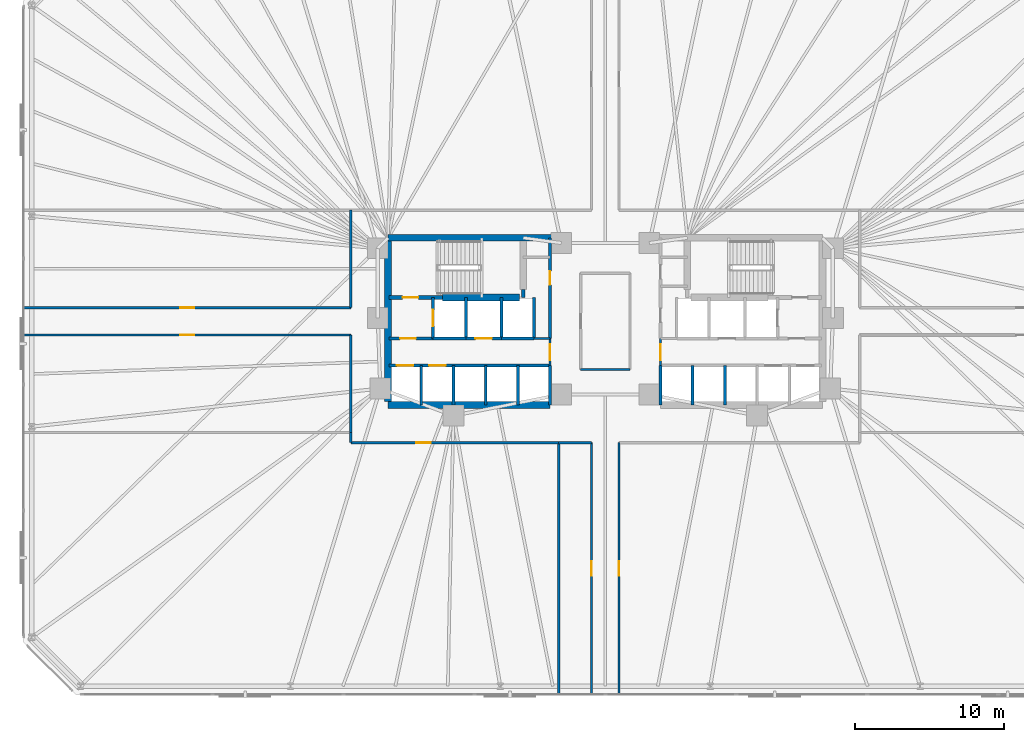
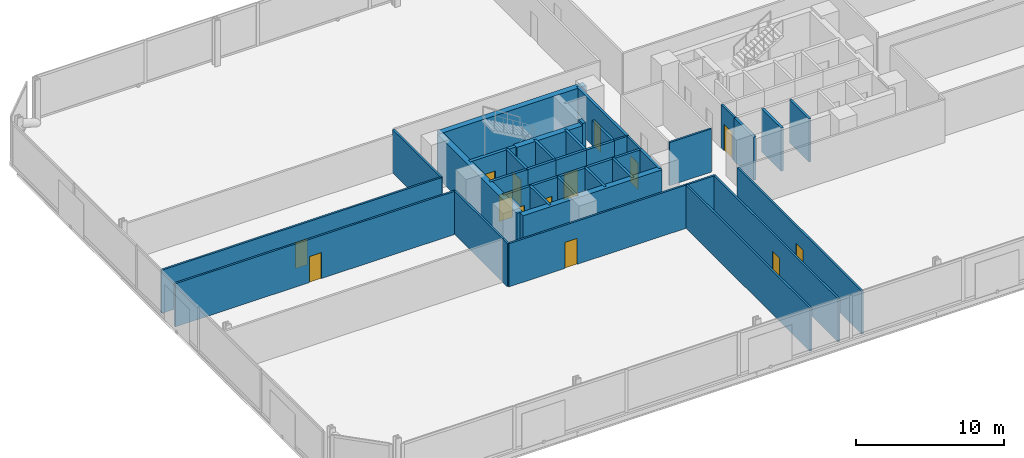
# One storey, part 12 of 16: 38 walls, 14 doors, 14 openings.
"""IFC4 building model written with IfcOpenShell, lengths in metres."""

from ifc_helpers import new_model, si_unit, direction, frame, frame_2d, origin, place, context, subcontext, project, spatial, rectangle, extrude, material, layer, layer_set, type_object, element, fill, save


model = new_model("IFC4")

# Units and contexts
model_context = context("Model", 3, precision=1e-05, world=origin(), true_north=direction((0.0, 1.0)))
body_context = subcontext(model_context, "Body", "Model", "MODEL_VIEW")
ifc_project = project(units=[si_unit("LENGTHUNIT", "METRE"), si_unit("AREAUNIT", "SQUARE_METRE"), si_unit("VOLUMEUNIT", "CUBIC_METRE"), si_unit("PLANEANGLEUNIT", "RADIAN"), si_unit("MASSUNIT", "GRAM", prefix="KILO")], contexts=[model_context])

# Site, building, storey
site_placement = place(None, origin())
site = spatial("IfcSite", under=ifc_project, at=site_placement, CompositionType="ELEMENT")
building_placement = place(site_placement, origin())
building = spatial("IfcBuilding", under=site, at=building_placement, Name="Menara Jurai Vektor", CompositionType="ELEMENT")
storey_placement = place(building_placement, frame((0.0, 0.0, 40.800048828125)))
storey = spatial("IfcBuildingStorey", under=building, at=storey_placement, Name="L09", CompositionType="ELEMENT", Elevation=40.800048828125)

# Wall, opening, door
ifc_material_1 = material(Name="Concrete C40/50", Category="concrete")
ifc_layer_1 = layer(ifc_material_1, 0.25)
ifc_layer_set_1 = layer_set([ifc_layer_1], Name="Concrete C40/50")
wall_type_1 = type_object("IfcWallType", Name="INT-WALL-CORE-250", PredefinedType="STANDARD", material=ifc_layer_set_1)
wall_1_placement = place(storey_placement, frame((-14.5, 1.60009765625, 0.0), z_axis=(0.0, 0.0, 1.0), x_axis=(1.0, 0.0, 0.0)))
wall_1 = element("IfcWall", 1, at=wall_1_placement, inside=storey, type_object=wall_type_1, Name="Interior Wall IW-250 L09", PredefinedType="STANDARD", context=body_context, shape_type="SweptSolid", body=[
    extrude(rectangle(XDim=3.60009765625, YDim=0.25, at=frame_2d((1.800048828125, 0.0))), origin(), (0.0, 0.0, 1.0), 3.574951171875),
])
opening_1_placement = place(wall_1_placement, frame((0.919921875, 0.0, 0.0)))
opening_1 = element("IfcOpeningElement", 2, at=opening_1_placement, cuts=wall_1, Name="Opening D-L09-ST1", PredefinedType="OPENING", context=body_context, shape_type="SweptSolid", body=[
    extrude(rectangle(XDim=1.050048828125, YDim=2.14990234375, at=frame_2d((0.52490234375, 1.074951171875))), frame((0.0, 0.135009765625, 0.0), z_axis=(0.0, -1.0, 0.0), x_axis=(1.0, 0.0, 0.0)), (0.0, 0.0, 1.0), 0.27001953125),
])
ifc_material_2 = material(Name="Fire-Rated Steel Door", Category="steel")
door_type_1 = type_object("IfcDoorType", Name="DR-STAIR-1050", OperationType="NOTDEFINED", PredefinedType="DOOR", material=ifc_material_2)
door_1_placement = place(opening_1_placement, origin())
door_1 = element("IfcDoor", 3, at=door_1_placement, inside=storey, type_object=door_type_1, Name="Exit Stair ST1 Door L09", OperationType="SINGLE_SWING_RIGHT", OverallHeight=2.14990234375, OverallWidth=1.050048828125, PredefinedType="DOOR", context=body_context, shape_type="SweptSolid", body=[
    extrude(rectangle(XDim=1.050048828125, YDim=2.14990234375, at=frame_2d((0.52490234375, 1.074951171875))), frame((0.0, 0.02490234375, 0.0), z_axis=(0.0, -1.0, 0.0), x_axis=(1.0, 0.0, 0.0)), (0.0, 0.0, 1.0), 0.050048828125),
])
fill(opening_1, door_1)

# Wall
wall_2_placement = place(storey_placement, frame((-5.5, 1.60009765625, 0.0), z_axis=(0.0, 0.0, 1.0), x_axis=(0.0, 1.0, 0.0)))
element("IfcWall", 4, at=wall_2_placement, inside=storey, type_object=wall_type_1, Name="Interior Wall IW-250 L09", PredefinedType="STANDARD", context=body_context, shape_type="SweptSolid", body=[
    extrude(rectangle(XDim=0.5498046875, YDim=0.25, at=frame_2d((0.27490234375, 0.0))), origin(), (0.0, 0.0, 1.0), 3.574951171875),
])

# Wall, opening, door
wall_3_placement = place(storey_placement, frame((-11.550048828125, -1.14990234375, 0.0), z_axis=(0.0, 0.0, 1.0), x_axis=(0.0, 1.0, 0.0)))
wall_3 = element("IfcWall", 5, at=wall_3_placement, inside=storey, type_object=wall_type_1, Name="Interior Wall IW-250 L09", PredefinedType="STANDARD", context=body_context, shape_type="SweptSolid", body=[
    extrude(rectangle(XDim=2.75, YDim=0.199951171875, at=frame_2d((1.375, 0.0))), origin(), (0.0, 0.0, 1.0), 3.574951171875),
])
opening_2_placement = place(wall_3_placement, frame((0.824951171875, 0.0, 0.0)))
opening_2 = element("IfcOpeningElement", 6, at=opening_2_placement, cuts=wall_3, Name="Opening LD-L09-FL1", PredefinedType="OPENING", context=body_context, shape_type="SweptSolid", body=[
    extrude(rectangle(XDim=1.10009765625, YDim=2.14990234375, at=frame_2d((0.550048828125, 1.074951171875))), frame((0.0, 0.10986328125, 0.0), z_axis=(0.0, -1.0, 0.0), x_axis=(1.0, 0.0, 0.0)), (0.0, 0.0, 1.0), 0.219970703125),
])
ifc_material_3 = material(Name="Stainless Steel Sliding Lift Landing Door", Category="steel")
door_type_2 = type_object("IfcDoorType", Name="DR-LIFT-FIRE-1100", OperationType="NOTDEFINED", PredefinedType="DOOR", material=ifc_material_3)
door_2_placement = place(opening_2_placement, origin())
door_2 = element("IfcDoor", 7, at=door_2_placement, inside=storey, type_object=door_type_2, Name="Lift Landing Door FL1 L09", OperationType="SLIDING_TO_RIGHT", OverallHeight=2.14990234375, OverallWidth=1.10009765625, PredefinedType="DOOR", context=body_context, shape_type="SweptSolid", body=[
    extrude(rectangle(XDim=1.10009765625, YDim=2.14990234375, at=frame_2d((0.550048828125, 1.074951171875))), frame((0.0, 0.02490234375, 0.0), z_axis=(0.0, -1.0, 0.0), x_axis=(1.0, 0.0, 0.0)), (0.0, 0.0, 1.0), 0.050048828125),
])
fill(opening_2, door_2)

# Wall
wall_4_placement = place(storey_placement, frame((-9.35009765625, -1.14990234375, 0.0), z_axis=(0.0, 0.0, 1.0), x_axis=(0.0, 1.0, 0.0)))
element("IfcWall", 8, at=wall_4_placement, inside=storey, type_object=wall_type_1, Name="Interior Wall IW-250 L09", PredefinedType="STANDARD", context=body_context, shape_type="SweptSolid", body=[
    extrude(rectangle(XDim=2.75, YDim=0.199951171875, at=frame_2d((1.375, 0.0))), origin(), (0.0, 0.0, 1.0), 3.574951171875),
])

# Wall, opening, door
wall_5_placement = place(storey_placement, frame((-14.5, -1.14990234375, 0.0), z_axis=(0.0, 0.0, 1.0), x_axis=(1.0, 0.0, 0.0)))
wall_5 = element("IfcWall", 9, at=wall_5_placement, inside=storey, type_object=wall_type_1, Name="Interior Wall IW-250 L09", PredefinedType="STANDARD", context=body_context, shape_type="SweptSolid", body=[
    extrude(rectangle(XDim=2.949951171875, YDim=0.199951171875, at=frame_2d((1.47509765625, 0.0))), origin(), (0.0, 0.0, 1.0), 3.574951171875),
])
opening_3_placement = place(wall_5_placement, frame((0.75, 0.0, 0.0)))
opening_3 = element("IfcOpeningElement", 10, at=opening_3_placement, cuts=wall_5, Name="Opening D-L09-FFW", PredefinedType="OPENING", context=body_context, shape_type="SweptSolid", body=[
    extrude(rectangle(XDim=1.050048828125, YDim=2.179931640625, at=frame_2d((0.52490234375, 1.08984375))), frame((0.0, 0.10986328125, 0.0), z_axis=(0.0, -1.0, 0.0), x_axis=(1.0, 0.0, 0.0)), (0.0, 0.0, 1.0), 0.219970703125),
])
ifc_material_4 = material(Name="Fire-Rated Timber Door", Category="wood")
door_type_3 = type_object("IfcDoorType", Name="DR-LOBBY-1050", OperationType="NOTDEFINED", PredefinedType="DOOR", material=ifc_material_4)
door_3_placement = place(opening_3_placement, origin())
door_3 = element("IfcDoor", 11, at=door_3_placement, inside=storey, type_object=door_type_3, Name="Fire Lift Lobby Door W L09", OperationType="SINGLE_SWING_RIGHT", OverallHeight=2.179931640625, OverallWidth=1.050048828125, PredefinedType="DOOR", context=body_context, shape_type="SweptSolid", body=[
    extrude(rectangle(XDim=1.050048828125, YDim=2.179931640625, at=frame_2d((0.52490234375, 1.08984375))), frame((0.0, 0.02490234375, 0.0), z_axis=(0.0, -1.0, 0.0), x_axis=(1.0, 0.0, 0.0)), (0.0, 0.0, 1.0), 0.050048828125),
])
fill(opening_3, door_3)

# Wall
wall_6_placement = place(storey_placement, frame((-11.550048828125, -1.14990234375, 0.0), z_axis=(0.0, 0.0, 1.0), x_axis=(1.0, 0.0, 0.0)))
element("IfcWall", 12, at=wall_6_placement, inside=storey, type_object=wall_type_1, Name="Interior Wall IW-250 L09", PredefinedType="STANDARD", context=body_context, shape_type="SweptSolid", body=[
    extrude(rectangle(XDim=2.199951171875, YDim=0.199951171875, at=frame_2d((1.10009765625, 0.0))), origin(), (0.0, 0.0, 1.0), 3.574951171875),
])

# Wall, opening, door
ifc_material_5 = material(Name="Gypsum Fireboard Partition", Category="gypsum")
ifc_layer_2 = layer(ifc_material_5, 0.14990234375)
ifc_layer_set_2 = layer_set([ifc_layer_2], Name="Gypsum Fireboard Partition")
wall_type_2 = type_object("IfcWallType", Name="INT-WALL-CORR-150", PredefinedType="PARTITIONING", material=ifc_layer_set_2)
wall_7_placement = place(storey_placement, frame((-3.699951171875, -2.949951171875, 0.0), z_axis=(0.0, 0.0, 1.0), x_axis=(0.0, 1.0, 0.0)))
wall_7 = element("IfcWall", 13, at=wall_7_placement, inside=storey, type_object=wall_type_2, Name="Interior Wall IW-150 L09", PredefinedType="PARTITIONING", context=body_context, shape_type="SweptSolid", body=[
    extrude(rectangle(XDim=1.800048828125, YDim=0.14990234375, at=frame_2d((0.89990234375, 0.0))), origin(), (0.0, 0.0, 1.0), 3.574951171875),
])
opening_4_placement = place(wall_7_placement, frame((0.35009765625, 0.0, 0.0)))
opening_4 = element("IfcOpeningElement", 14, at=opening_4_placement, cuts=wall_7, Name="Opening D-L09-LLW", PredefinedType="OPENING", context=body_context, shape_type="SweptSolid", body=[
    extrude(rectangle(XDim=1.050048828125, YDim=2.179931640625, at=frame_2d((0.52490234375, 1.08984375))), frame((0.0, 0.0849609375, 0.0), z_axis=(0.0, -1.0, 0.0), x_axis=(1.0, 0.0, 0.0)), (0.0, 0.0, 1.0), 0.169921875),
])
door_4_placement = place(opening_4_placement, origin())
door_4 = element("IfcDoor", 15, at=door_4_placement, inside=storey, type_object=door_type_3, Name="Lift Lobby Corridor Door W L09", OperationType="SINGLE_SWING_LEFT", OverallHeight=2.179931640625, OverallWidth=1.050048828125, PredefinedType="DOOR", context=body_context, shape_type="SweptSolid", body=[
    extrude(rectangle(XDim=1.050048828125, YDim=2.179931640625, at=frame_2d((0.52490234375, 1.08984375))), frame((0.0, 0.02490234375, 0.0), z_axis=(0.0, -1.0, 0.0), x_axis=(1.0, 0.0, 0.0)), (0.0, 0.0, 1.0), 0.050048828125),
])
fill(opening_4, door_4)

# Wall
wall_8_placement = place(storey_placement, frame((-4.7900390625, -1.14990234375, 0.0), z_axis=(0.0, 0.0, 1.0), x_axis=(1.0, 0.0, 0.0)))
element("IfcWall", 16, at=wall_8_placement, inside=storey, type_object=wall_type_2, Name="Interior Wall IW-150 L09", PredefinedType="PARTITIONING", context=body_context, shape_type="SweptSolid", body=[
    extrude(rectangle(XDim=1.090087890625, YDim=0.14990234375, at=frame_2d((0.544921875, 0.0))), origin(), (0.0, 0.0, 1.0), 3.574951171875),
])

# Wall, opening, door
wall_9_placement = place(storey_placement, frame((3.699951171875, -2.949951171875, 0.0), z_axis=(0.0, 0.0, 1.0), x_axis=(0.0, 1.0, 0.0)))
wall_9 = element("IfcWall", 17, at=wall_9_placement, inside=storey, type_object=wall_type_2, Name="Interior Wall IW-150 L09", PredefinedType="PARTITIONING", context=body_context, shape_type="SweptSolid", body=[
    extrude(rectangle(XDim=1.800048828125, YDim=0.14990234375, at=frame_2d((0.89990234375, 0.0))), origin(), (0.0, 0.0, 1.0), 3.574951171875),
])
opening_5_placement = place(wall_9_placement, frame((0.35009765625, 0.0, 0.0)))
opening_5 = element("IfcOpeningElement", 18, at=opening_5_placement, cuts=wall_9, Name="Opening D-L09-LLE", PredefinedType="OPENING", context=body_context, shape_type="SweptSolid", body=[
    extrude(rectangle(XDim=1.050048828125, YDim=2.179931640625, at=frame_2d((0.52490234375, 1.08984375))), frame((0.0, 0.0849609375, 0.0), z_axis=(0.0, -1.0, 0.0), x_axis=(1.0, 0.0, 0.0)), (0.0, 0.0, 1.0), 0.169921875),
])
door_5_placement = place(opening_5_placement, frame((1.050048828125, 0.0, 0.0), z_axis=(0.0, 0.0, 1.0), x_axis=(-1.0, 0.0, 0.0)))
door_5 = element("IfcDoor", 19, at=door_5_placement, inside=storey, type_object=door_type_3, Name="Lift Lobby Corridor Door E L09", OperationType="SINGLE_SWING_RIGHT", OverallHeight=2.179931640625, OverallWidth=1.050048828125, PredefinedType="DOOR", context=body_context, shape_type="SweptSolid", body=[
    extrude(rectangle(XDim=1.050048828125, YDim=2.179931640625, at=frame_2d((0.52490234375, 1.08984375))), frame((0.0, 0.02490234375, 0.0), z_axis=(0.0, -1.0, 0.0), x_axis=(1.0, 0.0, 0.0)), (0.0, 0.0, 1.0), 0.050048828125),
])
fill(opening_5, door_5)

# Walls
wall_10_placement = place(storey_placement, frame((-1.64990234375, -3.22998046875, 0.0), z_axis=(0.0, 0.0, 1.0), x_axis=(1.0, 0.0, 0.0)))
element("IfcWall", 20, at=wall_10_placement, inside=storey, type_object=wall_type_2, Name="Interior Wall IW-150 L09", PredefinedType="PARTITIONING", context=body_context, shape_type="SweptSolid", body=[
    extrude(rectangle(XDim=3.2998046875, YDim=0.14990234375, at=frame_2d((1.64990234375, 0.0))), origin(), (0.0, 0.0, 1.0), 3.574951171875),
])
wall_11_placement = place(storey_placement, frame((-17.05908203125, -8.1298828125, 0.0), z_axis=(0.0, 0.0, 1.0), x_axis=(0.0, 1.0, 0.0)))
element("IfcWall", 21, at=wall_11_placement, inside=storey, type_object=wall_type_2, Name="Interior Wall IW-150 L09", PredefinedType="PARTITIONING", context=body_context, shape_type="SweptSolid", body=[
    extrude(rectangle(XDim=0.679931640625, YDim=0.14990234375, at=frame_2d((0.33984375, 0.0))), origin(), (0.0, 0.0, 1.0), 3.574951171875),
])

# Wall, opening, door
wall_12_placement = place(storey_placement, frame((-17.05908203125, -8.1298828125, 0.0), z_axis=(0.0, 0.0, 1.0), x_axis=(1.0, 0.0, 0.0)))
wall_12 = element("IfcWall", 22, at=wall_12_placement, inside=storey, type_object=wall_type_2, Name="Interior Wall IW-150 L09", PredefinedType="PARTITIONING", context=body_context, shape_type="SweptSolid", body=[
    extrude(rectangle(XDim=13.93896484375, YDim=0.14990234375, at=frame_2d((6.969482421875, 0.0))), origin(), (0.0, 0.0, 1.0), 3.574951171875),
])
opening_6_placement = place(wall_12_placement, frame((4.403564453125, 0.0, 0.0)))
opening_6 = element("IfcOpeningElement", 23, at=opening_6_placement, cuts=wall_12, Name="Opening D09-07", PredefinedType="OPENING", context=body_context, shape_type="SweptSolid", body=[
    extrude(rectangle(XDim=0.949951171875, YDim=2.14990234375, at=frame_2d((0.47509765625, 1.074951171875))), frame((0.0, 0.0849609375, 0.0), z_axis=(0.0, -1.0, 0.0), x_axis=(1.0, 0.0, 0.0)), (0.0, 0.0, 1.0), 0.169921875),
])
ifc_material_6 = material(Name="Solid Core Timber Fire Door", Category="wood")
door_type_4 = type_object("IfcDoorType", Name="DR-ENTRY-950", OperationType="NOTDEFINED", PredefinedType="DOOR", material=ifc_material_6)
door_6_placement = place(opening_6_placement, origin())
door_6 = element("IfcDoor", 24, at=door_6_placement, inside=storey, type_object=door_type_4, Name="Interior Door D09-07", OperationType="SINGLE_SWING_RIGHT", OverallHeight=2.14990234375, OverallWidth=0.949951171875, PredefinedType="DOOR", context=body_context, shape_type="SweptSolid", body=[
    extrude(rectangle(XDim=0.949951171875, YDim=2.14990234375, at=frame_2d((0.47509765625, 1.074951171875))), frame((0.0, 0.02490234375, 0.0), z_axis=(0.0, -1.0, 0.0), x_axis=(1.0, 0.0, 0.0)), (0.0, 0.0, 1.0), 0.050048828125),
])
fill(opening_6, door_6)

# Wall
wall_13_placement = place(storey_placement, frame((-3.1201171875, -8.1298828125, 0.0), z_axis=(0.0, 0.0, 1.0), x_axis=(1.0, 0.0, 0.0)))
element("IfcWall", 25, at=wall_13_placement, inside=storey, type_object=wall_type_2, Name="Interior Wall IW-150 L09", PredefinedType="PARTITIONING", context=body_context, shape_type="SweptSolid", body=[
    extrude(rectangle(XDim=2.2001953125, YDim=0.14990234375, at=frame_2d((1.10009765625, 0.0))), origin(), (0.0, 0.0, 1.0), 3.574951171875),
])

# Wall, opening, door
wall_14_placement = place(storey_placement, frame((-0.919921875, -25.0, 0.0), z_axis=(0.0, 0.0, 1.0), x_axis=(0.0, 1.0, 0.0)))
wall_14 = element("IfcWall", 26, at=wall_14_placement, inside=storey, type_object=wall_type_2, Name="Interior Wall IW-150 L09", PredefinedType="PARTITIONING", context=body_context, shape_type="SweptSolid", body=[
    extrude(rectangle(XDim=16.8701171875, YDim=0.14990234375, at=frame_2d((8.43505859375, 0.0))), origin(), (0.0, 0.0, 1.0), 3.574951171875),
])
opening_7_placement = place(wall_14_placement, frame((7.9599609375, 0.0, 0.0)))
opening_7 = element("IfcOpeningElement", 27, at=opening_7_placement, cuts=wall_14, Name="Opening D09-08", PredefinedType="OPENING", context=body_context, shape_type="SweptSolid", body=[
    extrude(rectangle(XDim=0.949951171875, YDim=2.14990234375, at=frame_2d((0.47509765625, 1.074951171875))), frame((0.0, 0.0849609375, 0.0), z_axis=(0.0, -1.0, 0.0), x_axis=(1.0, 0.0, 0.0)), (0.0, 0.0, 1.0), 0.169921875),
])
door_7_placement = place(opening_7_placement, origin())
door_7 = element("IfcDoor", 28, at=door_7_placement, inside=storey, type_object=door_type_4, Name="Interior Door D09-08", OperationType="SINGLE_SWING_LEFT", OverallHeight=2.14990234375, OverallWidth=0.949951171875, PredefinedType="DOOR", context=body_context, shape_type="SweptSolid", body=[
    extrude(rectangle(XDim=0.949951171875, YDim=2.14990234375, at=frame_2d((0.47509765625, 1.074951171875))), frame((0.0, 0.02490234375, 0.0), z_axis=(0.0, -1.0, 0.0), x_axis=(1.0, 0.0, 0.0)), (0.0, 0.0, 1.0), 0.050048828125),
])
fill(opening_7, door_7)

wall_15_placement = place(storey_placement, frame((0.919921875, -25.0, 0.0), z_axis=(0.0, 0.0, 1.0), x_axis=(0.0, 1.0, 0.0)))
wall_15 = element("IfcWall", 29, at=wall_15_placement, inside=storey, type_object=wall_type_2, Name="Interior Wall IW-150 L09", PredefinedType="PARTITIONING", context=body_context, shape_type="SweptSolid", body=[
    extrude(rectangle(XDim=16.8701171875, YDim=0.14990234375, at=frame_2d((8.43505859375, 0.0))), origin(), (0.0, 0.0, 1.0), 3.574951171875),
])
opening_8_placement = place(wall_15_placement, frame((7.9599609375, 0.0, 0.0)))
opening_8 = element("IfcOpeningElement", 30, at=opening_8_placement, cuts=wall_15, Name="Opening D09-09", PredefinedType="OPENING", context=body_context, shape_type="SweptSolid", body=[
    extrude(rectangle(XDim=0.949951171875, YDim=2.14990234375, at=frame_2d((0.47509765625, 1.074951171875))), frame((0.0, 0.0849609375, 0.0), z_axis=(0.0, -1.0, 0.0), x_axis=(1.0, 0.0, 0.0)), (0.0, 0.0, 1.0), 0.169921875),
])
door_8_placement = place(opening_8_placement, origin())
door_8 = element("IfcDoor", 31, at=door_8_placement, inside=storey, type_object=door_type_4, Name="Interior Door D09-09", OperationType="SINGLE_SWING_RIGHT", OverallHeight=2.14990234375, OverallWidth=0.949951171875, PredefinedType="DOOR", context=body_context, shape_type="SweptSolid", body=[
    extrude(rectangle(XDim=0.949951171875, YDim=2.14990234375, at=frame_2d((0.47509765625, 1.074951171875))), frame((0.0, 0.02490234375, 0.0), z_axis=(0.0, -1.0, 0.0), x_axis=(1.0, 0.0, 0.0)), (0.0, 0.0, 1.0), 0.050048828125),
])
fill(opening_8, door_8)

wall_16_placement = place(storey_placement, frame((-39.0, -0.919921875, 0.0), z_axis=(0.0, 0.0, 1.0), x_axis=(1.0, 0.0, 0.0)))
wall_16 = element("IfcWall", 32, at=wall_16_placement, inside=storey, type_object=wall_type_2, Name="Interior Wall IW-150 L09", PredefinedType="PARTITIONING", context=body_context, shape_type="SweptSolid", body=[
    extrude(rectangle(XDim=21.94091796875, YDim=0.14990234375, at=frame_2d((10.970458984375, 0.0))), origin(), (0.0, 0.0, 1.0), 3.574951171875),
])
opening_9_placement = place(wall_16_placement, frame((10.49560546875, 0.0, 0.0)))
opening_9 = element("IfcOpeningElement", 33, at=opening_9_placement, cuts=wall_16, Name="Opening D09-10", PredefinedType="OPENING", context=body_context, shape_type="SweptSolid", body=[
    extrude(rectangle(XDim=0.949951171875, YDim=2.14990234375, at=frame_2d((0.47509765625, 1.074951171875))), frame((0.0, 0.0849609375, 0.0), z_axis=(0.0, -1.0, 0.0), x_axis=(1.0, 0.0, 0.0)), (0.0, 0.0, 1.0), 0.169921875),
])
door_9_placement = place(opening_9_placement, origin())
door_9 = element("IfcDoor", 34, at=door_9_placement, inside=storey, type_object=door_type_4, Name="Interior Door D09-10", OperationType="SINGLE_SWING_LEFT", OverallHeight=2.14990234375, OverallWidth=0.949951171875, PredefinedType="DOOR", context=body_context, shape_type="SweptSolid", body=[
    extrude(rectangle(XDim=0.949951171875, YDim=2.14990234375, at=frame_2d((0.47509765625, 1.074951171875))), frame((0.0, 0.02490234375, 0.0), z_axis=(0.0, -1.0, 0.0), x_axis=(1.0, 0.0, 0.0)), (0.0, 0.0, 1.0), 0.050048828125),
])
fill(opening_9, door_9)

# Wall
wall_17_placement = place(storey_placement, frame((-17.05908203125, -7.449951171875, 0.0), z_axis=(0.0, 0.0, 1.0), x_axis=(0.0, 1.0, 0.0)))
element("IfcWall", 35, at=wall_17_placement, inside=storey, type_object=wall_type_2, Name="Interior Wall IW-150 L09", PredefinedType="PARTITIONING", context=body_context, shape_type="SweptSolid", body=[
    extrude(rectangle(XDim=6.530029296875, YDim=0.14990234375, at=frame_2d((3.26513671875, 0.0))), origin(), (0.0, 0.0, 1.0), 3.574951171875),
])

# Wall, opening, door
wall_18_placement = place(storey_placement, frame((-39.0, 0.919921875, 0.0), z_axis=(0.0, 0.0, 1.0), x_axis=(1.0, 0.0, 0.0)))
wall_18 = element("IfcWall", 36, at=wall_18_placement, inside=storey, type_object=wall_type_2, Name="Interior Wall IW-150 L09", PredefinedType="PARTITIONING", context=body_context, shape_type="SweptSolid", body=[
    extrude(rectangle(XDim=21.94091796875, YDim=0.14990234375, at=frame_2d((10.970458984375, 0.0))), origin(), (0.0, 0.0, 1.0), 3.574951171875),
])
opening_10_placement = place(wall_18_placement, frame((10.49560546875, 0.0, 0.0)))
opening_10 = element("IfcOpeningElement", 37, at=opening_10_placement, cuts=wall_18, Name="Opening D09-11", PredefinedType="OPENING", context=body_context, shape_type="SweptSolid", body=[
    extrude(rectangle(XDim=0.949951171875, YDim=2.14990234375, at=frame_2d((0.47509765625, 1.074951171875))), frame((0.0, 0.0849609375, 0.0), z_axis=(0.0, -1.0, 0.0), x_axis=(1.0, 0.0, 0.0)), (0.0, 0.0, 1.0), 0.169921875),
])
door_10_placement = place(opening_10_placement, origin())
door_10 = element("IfcDoor", 38, at=door_10_placement, inside=storey, type_object=door_type_4, Name="Interior Door D09-11", OperationType="SINGLE_SWING_RIGHT", OverallHeight=2.14990234375, OverallWidth=0.949951171875, PredefinedType="DOOR", context=body_context, shape_type="SweptSolid", body=[
    extrude(rectangle(XDim=0.949951171875, YDim=2.14990234375, at=frame_2d((0.47509765625, 1.074951171875))), frame((0.0, 0.02490234375, 0.0), z_axis=(0.0, -1.0, 0.0), x_axis=(1.0, 0.0, 0.0)), (0.0, 0.0, 1.0), 0.050048828125),
])
fill(opening_10, door_10)

# Walls
wall_19_placement = place(storey_placement, frame((-17.05908203125, 0.919921875, 0.0), z_axis=(0.0, 0.0, 1.0), x_axis=(0.0, 1.0, 0.0)))
element("IfcWall", 39, at=wall_19_placement, inside=storey, type_object=wall_type_2, Name="Interior Wall IW-150 L09", PredefinedType="PARTITIONING", context=body_context, shape_type="SweptSolid", body=[
    extrude(rectangle(XDim=6.530029296875, YDim=0.14990234375, at=frame_2d((3.26513671875, 0.0))), origin(), (0.0, 0.0, 1.0), 3.574951171875),
])
wall_20_placement = place(storey_placement, frame((-3.1201171875, -25.0, 0.0), z_axis=(0.0, 0.0, 1.0), x_axis=(0.0, 1.0, 0.0)))
element("IfcWall", 40, at=wall_20_placement, inside=storey, type_object=wall_type_2, Name="Interior Wall IW-150 L09", PredefinedType="PARTITIONING", context=body_context, shape_type="SweptSolid", body=[
    extrude(rectangle(XDim=16.8701171875, YDim=0.14990234375, at=frame_2d((8.43505859375, 0.0))), origin(), (0.0, 0.0, 1.0), 3.574951171875),
])

# Wall, opening, door
ifc_layer_3 = layer(ifc_material_1, 0.199951171875)
ifc_layer_set_3 = layer_set([ifc_layer_3], Name="Concrete C40/50")
wall_type_3 = type_object("IfcWallType", Name="INT-WALL-SHAFT-200", PredefinedType="STANDARD", material=ifc_layer_set_3)
wall_21_placement = place(storey_placement, frame((-3.699951171875, -1.14990234375, 0.0), z_axis=(0.0, 0.0, 1.0), x_axis=(0.0, 1.0, 0.0)))
wall_21 = element("IfcWall", 41, at=wall_21_placement, inside=storey, type_object=wall_type_3, Name="Interior Wall IW-200 L09", PredefinedType="STANDARD", context=body_context, shape_type="SweptSolid", body=[
    extrude(rectangle(XDim=6.75, YDim=0.199951171875, at=frame_2d((3.375, 0.0))), origin(), (0.0, 0.0, 1.0), 3.574951171875),
])
opening_11_placement = place(wall_21_placement, frame((3.60009765625, 0.0, 0.0)))
opening_11 = element("IfcOpeningElement", 42, at=opening_11_placement, cuts=wall_21, Name="Opening D09-01", PredefinedType="OPENING", context=body_context, shape_type="SweptSolid", body=[
    extrude(rectangle(XDim=0.919921875, YDim=2.14990234375, at=frame_2d((0.4599609375, 1.074951171875))), frame((0.0, 0.10986328125, 0.0), z_axis=(0.0, -1.0, 0.0), x_axis=(1.0, 0.0, 0.0)), (0.0, 0.0, 1.0), 0.219970703125),
])
door_11_placement = place(opening_11_placement, origin())
door_11 = element("IfcDoor", 43, at=door_11_placement, inside=storey, type_object=door_type_4, Name="Interior Door D09-01", OperationType="SINGLE_SWING_LEFT", OverallHeight=2.14990234375, OverallWidth=0.919921875, PredefinedType="DOOR", context=body_context, shape_type="SweptSolid", body=[
    extrude(rectangle(XDim=0.919921875, YDim=2.14990234375, at=frame_2d((0.4599609375, 1.074951171875))), frame((0.0, 0.02490234375, 0.0), z_axis=(0.0, -1.0, 0.0), x_axis=(1.0, 0.0, 0.0)), (0.0, 0.0, 1.0), 0.050048828125),
])
fill(opening_11, door_11)

# Walls
wall_22_placement = place(storey_placement, frame((-3.699951171875, -5.60009765625, 0.0), z_axis=(0.0, 0.0, 1.0), x_axis=(0.0, 1.0, 0.0)))
element("IfcWall", 44, at=wall_22_placement, inside=storey, type_object=wall_type_3, Name="Interior Wall IW-200 L09", PredefinedType="STANDARD", context=body_context, shape_type="SweptSolid", body=[
    extrude(rectangle(XDim=2.650146484375, YDim=0.199951171875, at=frame_2d((1.3251953125, 0.0))), origin(), (0.0, 0.0, 1.0), 3.574951171875),
])
wall_23_placement = place(storey_placement, frame((-6.949951171875, -1.14990234375, 0.0), z_axis=(0.0, 0.0, 1.0), x_axis=(0.0, 1.0, 0.0)))
element("IfcWall", 45, at=wall_23_placement, inside=storey, type_object=wall_type_3, Name="Interior Wall IW-200 L09", PredefinedType="STANDARD", context=body_context, shape_type="SweptSolid", body=[
    extrude(rectangle(XDim=2.75, YDim=0.199951171875, at=frame_2d((1.375, 0.0))), origin(), (0.0, 0.0, 1.0), 3.574951171875),
])

# Wall, opening, door
wall_24_placement = place(storey_placement, frame((-9.35009765625, -1.14990234375, 0.0), z_axis=(0.0, 0.0, 1.0), x_axis=(1.0, 0.0, 0.0)))
wall_24 = element("IfcWall", 46, at=wall_24_placement, inside=storey, type_object=wall_type_3, Name="Interior Wall IW-200 L09", PredefinedType="STANDARD", context=body_context, shape_type="SweptSolid", body=[
    extrude(rectangle(XDim=2.400146484375, YDim=0.199951171875, at=frame_2d((1.2001953125, 0.0))), origin(), (0.0, 0.0, 1.0), 3.574951171875),
])
opening_12_placement = place(wall_24_placement, frame((0.64990234375, 0.0, 0.0)))
opening_12 = element("IfcOpeningElement", 47, at=opening_12_placement, cuts=wall_24, Name="Opening LD-L09-SVL1", PredefinedType="OPENING", context=body_context, shape_type="SweptSolid", body=[
    extrude(rectangle(XDim=1.10009765625, YDim=2.14990234375, at=frame_2d((0.550048828125, 1.074951171875))), frame((0.0, 0.10986328125, 0.0), z_axis=(0.0, -1.0, 0.0), x_axis=(1.0, 0.0, 0.0)), (0.0, 0.0, 1.0), 0.219970703125),
])
ifc_material_7 = material(Name="Anodised Stainless Sliding Lift Landing Door", Category="steel")
door_type_5 = type_object("IfcDoorType", Name="DR-LIFT-PASS-1100", OperationType="NOTDEFINED", PredefinedType="DOOR", material=ifc_material_7)
door_12_placement = place(opening_12_placement, origin())
door_12 = element("IfcDoor", 48, at=door_12_placement, inside=storey, type_object=door_type_5, Name="Lift Landing Door SVL1 L09", OperationType="SLIDING_TO_RIGHT", OverallHeight=2.14990234375, OverallWidth=1.10009765625, PredefinedType="DOOR", context=body_context, shape_type="SweptSolid", body=[
    extrude(rectangle(XDim=1.10009765625, YDim=2.14990234375, at=frame_2d((0.550048828125, 1.074951171875))), frame((0.0, 0.02490234375, 0.0), z_axis=(0.0, -1.0, 0.0), x_axis=(1.0, 0.0, 0.0)), (0.0, 0.0, 1.0), 0.050048828125),
])
fill(opening_12, door_12)

# Walls
wall_25_placement = place(storey_placement, frame((-4.7900390625, -1.14990234375, 0.0), z_axis=(0.0, 0.0, 1.0), x_axis=(0.0, 1.0, 0.0)))
element("IfcWall", 49, at=wall_25_placement, inside=storey, type_object=wall_type_3, Name="Interior Wall IW-200 L09", PredefinedType="STANDARD", context=body_context, shape_type="SweptSolid", body=[
    extrude(rectangle(XDim=2.75, YDim=0.199951171875, at=frame_2d((1.375, 0.0))), origin(), (0.0, 0.0, 1.0), 3.574951171875),
])
wall_26_placement = place(storey_placement, frame((-6.949951171875, -1.14990234375, 0.0), z_axis=(0.0, 0.0, 1.0), x_axis=(1.0, 0.0, 0.0)))
element("IfcWall", 50, at=wall_26_placement, inside=storey, type_object=wall_type_3, Name="Interior Wall IW-200 L09", PredefinedType="STANDARD", context=body_context, shape_type="SweptSolid", body=[
    extrude(rectangle(XDim=2.159912109375, YDim=0.199951171875, at=frame_2d((1.080078125, 0.0))), origin(), (0.0, 0.0, 1.0), 3.574951171875),
])

# Wall, openings, doors
wall_27_placement = place(storey_placement, frame((-14.5, -2.949951171875, 0.0), z_axis=(0.0, 0.0, 1.0), x_axis=(1.0, 0.0, 0.0)))
wall_27 = element("IfcWall", 51, at=wall_27_placement, inside=storey, type_object=wall_type_3, Name="Interior Wall IW-200 L09", PredefinedType="STANDARD", context=body_context, shape_type="SweptSolid", body=[
    extrude(rectangle(XDim=10.800048828125, YDim=0.199951171875, at=frame_2d((5.39990234375, 0.0))), origin(), (0.0, 0.0, 1.0), 3.574951171875),
])
opening_13_placement = place(wall_27_placement, frame((0.530029296875, 0.0, 0.0)))
opening_13 = element("IfcOpeningElement", 52, at=opening_13_placement, cuts=wall_27, Name="Opening LD-L09-PL1", PredefinedType="OPENING", context=body_context, shape_type="SweptSolid", body=[
    extrude(rectangle(XDim=1.10009765625, YDim=2.14990234375, at=frame_2d((0.550048828125, 1.074951171875))), frame((0.0, 0.10986328125, 0.0), z_axis=(0.0, -1.0, 0.0), x_axis=(1.0, 0.0, 0.0)), (0.0, 0.0, 1.0), 0.219970703125),
])
opening_14_placement = place(wall_27_placement, frame((2.68994140625, 0.0, 0.0)))
opening_14 = element("IfcOpeningElement", 53, at=opening_14_placement, cuts=wall_27, Name="Opening LD-L09-PL2", PredefinedType="OPENING", context=body_context, shape_type="SweptSolid", body=[
    extrude(rectangle(XDim=1.10009765625, YDim=2.14990234375, at=frame_2d((0.550048828125, 1.074951171875))), frame((0.0, 0.10986328125, 0.0), z_axis=(0.0, -1.0, 0.0), x_axis=(1.0, 0.0, 0.0)), (0.0, 0.0, 1.0), 0.219970703125),
])
door_13_placement = place(opening_13_placement, origin())
door_13 = element("IfcDoor", 54, at=door_13_placement, inside=storey, type_object=door_type_5, Name="Lift Landing Door PL1 L09", OperationType="SLIDING_TO_RIGHT", OverallHeight=2.14990234375, OverallWidth=1.10009765625, PredefinedType="DOOR", context=body_context, shape_type="SweptSolid", body=[
    extrude(rectangle(XDim=1.10009765625, YDim=2.14990234375, at=frame_2d((0.550048828125, 1.074951171875))), frame((0.0, 0.02490234375, 0.0), z_axis=(0.0, -1.0, 0.0), x_axis=(1.0, 0.0, 0.0)), (0.0, 0.0, 1.0), 0.050048828125),
])
fill(opening_13, door_13)
door_14_placement = place(opening_14_placement, origin())
door_14 = element("IfcDoor", 55, at=door_14_placement, inside=storey, type_object=door_type_5, Name="Lift Landing Door PL2 L09", OperationType="SLIDING_TO_RIGHT", OverallHeight=2.14990234375, OverallWidth=1.10009765625, PredefinedType="DOOR", context=body_context, shape_type="SweptSolid", body=[
    extrude(rectangle(XDim=1.10009765625, YDim=2.14990234375, at=frame_2d((0.550048828125, 1.074951171875))), frame((0.0, 0.02490234375, 0.0), z_axis=(0.0, -1.0, 0.0), x_axis=(1.0, 0.0, 0.0)), (0.0, 0.0, 1.0), 0.050048828125),
])
fill(opening_14, door_14)

# Walls
wall_28_placement = place(storey_placement, frame((-5.860107421875, -5.60009765625, 0.0), z_axis=(0.0, 0.0, 1.0), x_axis=(0.0, 1.0, 0.0)))
element("IfcWall", 56, at=wall_28_placement, inside=storey, type_object=wall_type_3, Name="Interior Wall IW-200 L09", PredefinedType="STANDARD", context=body_context, shape_type="SweptSolid", body=[
    extrude(rectangle(XDim=2.650146484375, YDim=0.199951171875, at=frame_2d((1.3251953125, 0.0))), origin(), (0.0, 0.0, 1.0), 3.574951171875),
])
for number, where, z_axis, x_axis, name in (
    (57, (-12.340087890625, -5.60009765625, 0.0), (0.0, 0.0, 1.0), (0.0, 1.0, 0.0), "Interior Wall IW-200 L09"),
    (58, (-10.179931640625, -5.60009765625, 0.0), (0.0, 0.0, 1.0), (0.0, 1.0, 0.0), "Interior Wall IW-200 L09"),
    (59, (-8.02001953125, -5.60009765625, 0.0), (0.0, 0.0, 1.0), (0.0, 1.0, 0.0), "Interior Wall IW-200 L09"),
):
    element("IfcWall", number, at=place(storey_placement, frame(where, z_axis=z_axis, x_axis=x_axis)), inside=storey, type_object=wall_type_3, Name=name, PredefinedType="STANDARD", context=body_context, shape_type="SweptSolid", body=[
        extrude(rectangle(XDim=2.650146484375, YDim=0.179931640625, at=frame_2d((1.3251953125, 0.0))), origin(), (0.0, 0.0, 1.0), 3.574951171875),
    ])
for number, where, z_axis, x_axis, name in (
    (60, (3.699951171875, -5.60009765625, 0.0), (0.0, 0.0, 1.0), (0.0, 1.0, 0.0), "Interior Wall IW-200 L09"),
    (61, (5.860107421875, -5.60009765625, 0.0), (0.0, 0.0, 1.0), (0.0, 1.0, 0.0), "Interior Wall IW-200 L09"),
):
    element("IfcWall", number, at=place(storey_placement, frame(where, z_axis=z_axis, x_axis=x_axis)), inside=storey, type_object=wall_type_3, Name=name, PredefinedType="STANDARD", context=body_context, shape_type="SweptSolid", body=[
        extrude(rectangle(XDim=2.650146484375, YDim=0.199951171875, at=frame_2d((1.3251953125, 0.0))), origin(), (0.0, 0.0, 1.0), 3.574951171875),
    ])
wall_29_placement = place(storey_placement, frame((8.02001953125, -5.60009765625, 0.0), z_axis=(0.0, 0.0, 1.0), x_axis=(0.0, 1.0, 0.0)))
element("IfcWall", 62, at=wall_29_placement, inside=storey, type_object=wall_type_3, Name="Interior Wall IW-200 L09", PredefinedType="STANDARD", context=body_context, shape_type="SweptSolid", body=[
    extrude(rectangle(XDim=2.650146484375, YDim=0.179931640625, at=frame_2d((1.3251953125, 0.0))), origin(), (0.0, 0.0, 1.0), 3.574951171875),
])
ifc_material_8 = material(Name="Concrete C60/75", Category="concrete")
ifc_layer_4 = layer(ifc_material_8, 0.449951171875)
ifc_layer_set_4 = layer_set([ifc_layer_4], Name="Concrete C60/75")
wall_type_4 = type_object("IfcWallType", Name="STR-WALL-CORE450", PredefinedType="SHEAR", material=ifc_layer_set_4)
wall_30_placement = place(storey_placement, frame((-14.56005859375, 5.60009765625, 0.0), z_axis=(0.0, 0.0, 1.0), x_axis=(1.0, 0.0, 0.0)))
element("IfcWall", 63, at=wall_30_placement, inside=storey, type_object=wall_type_4, Name="Core Shear Wall CW-W-N L09", PredefinedType="SHEAR", context=body_context, shape_type="SweptSolid", body=[
    extrude(rectangle(XDim=11.41015625, YDim=0.449951171875, at=frame_2d((5.705078125, 0.0))), origin(), (0.0, 0.0, 1.0), 3.574951171875),
])
wall_31_placement = place(storey_placement, frame((-14.56005859375, -5.60009765625, 0.0), z_axis=(0.0, 0.0, 1.0), x_axis=(1.0, 0.0, 0.0)))
element("IfcWall", 64, at=wall_31_placement, inside=storey, type_object=wall_type_4, Name="Core Shear Wall CW-W-S L09", PredefinedType="SHEAR", context=body_context, shape_type="SweptSolid", body=[
    extrude(rectangle(XDim=10.860107421875, YDim=0.449951171875, at=frame_2d((5.43017578125, 0.0))), origin(), (0.0, 0.0, 1.0), 3.574951171875),
])
wall_32_placement = place(storey_placement, frame((-14.56005859375, -5.375, 0.0), z_axis=(0.0, 0.0, 1.0), x_axis=(0.0, 1.0, 0.0)))
element("IfcWall", 65, at=wall_32_placement, inside=storey, type_object=wall_type_4, Name="Core Shear Wall CW-W-W L09", PredefinedType="SHEAR", context=body_context, shape_type="SweptSolid", body=[
    extrude(rectangle(XDim=10.75, YDim=0.449951171875, at=frame_2d((5.375, 0.0))), origin(), (0.0, 0.0, 1.0), 3.574951171875),
])
wall_33_placement = place(storey_placement, frame((-10.89990234375, 1.60009765625, 0.0), z_axis=(0.0, 0.0, 1.0), x_axis=(1.0, 0.0, 0.0)))
element("IfcWall", 66, at=wall_33_placement, inside=storey, type_object=wall_type_4, Name="Core Shear Wall CW-W-STS L09", PredefinedType="SHEAR", context=body_context, shape_type="SweptSolid", body=[
    extrude(rectangle(XDim=5.14990234375, YDim=0.449951171875, at=frame_2d((2.574951171875, 0.0))), origin(), (0.0, 0.0, 1.0), 3.574951171875),
])

save(model, "model.ifc")
